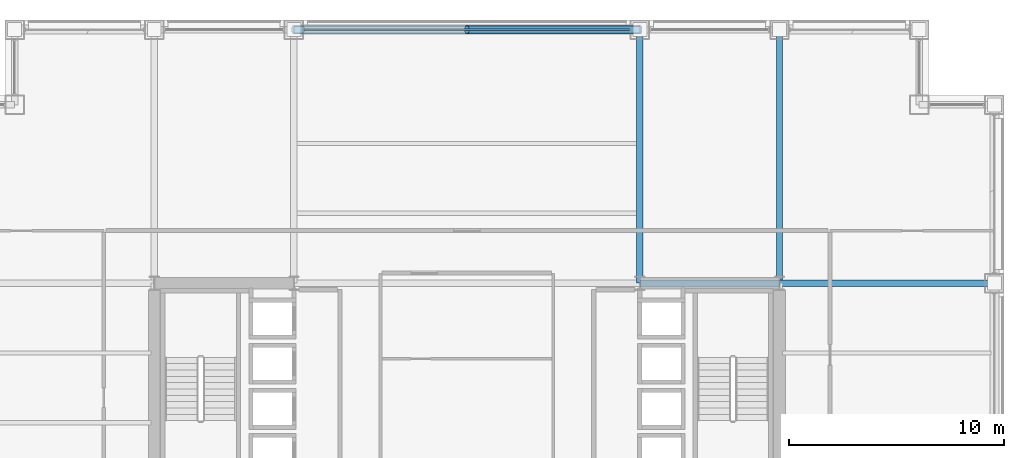
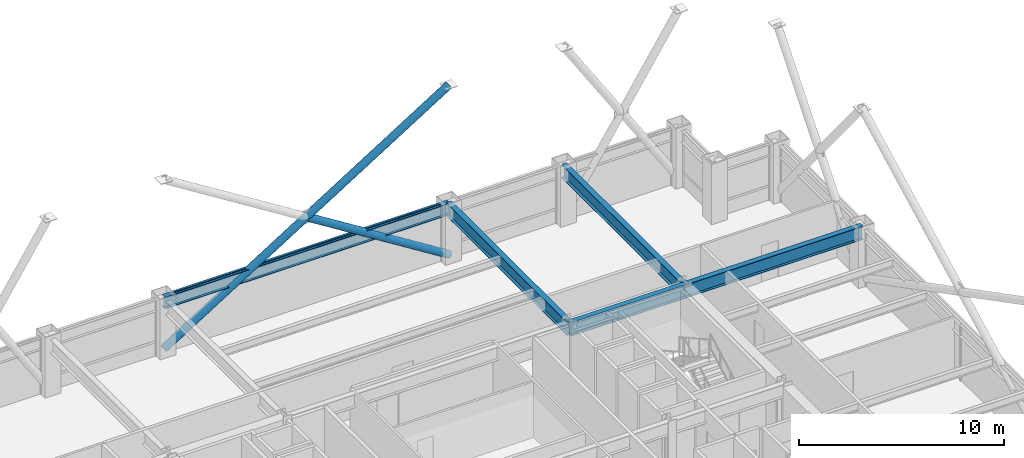
# One storey, part 19 of 30: 5 beams, 3 members, 1 element without a shape of its own.
"""IFC4 building model written with IfcOpenShell, lengths in metres."""

import ifcopenshell
import ifcopenshell.guid

model = None  # the IFC model being written
_history = None  # IfcOwnerHistory: only IFC2X3 demands one
_inside = {}  # id of a spatial element -> (the spatial element, [elements in it])
_under = {}  # id of a project, library or spatial element -> (it, [spatial elements below it])
_declared = {}  # id of a project -> (the project, [libraries it declares])
_typed = {}  # id of a type object -> (the type object, [elements of that type])
_made_of = {}  # id of a material, layer set ... -> (it, [elements and type objects made of it])


def new_model(schema):
    """Start an empty IFC model of exactly this schema.

    Asked for "IFC4X3", IfcOpenShell would pick the latest addendum, in which some entities
    have other attributes; the version numbers below select the first issue.
    IFC2X3 requires an IfcOwnerHistory on every rooted entity: one is made here for all.
    """
    global model, _history
    if schema == "IFC4X3":
        model = ifcopenshell.file(schema_version=(4, 3, 0, 0))
    else:
        model = ifcopenshell.file(schema=schema)
    _inside.clear()
    _under.clear()
    _declared.clear()
    _typed.clear()
    _made_of.clear()
    _history = None
    if model.schema == "IFC2X3":
        org = make("IfcOrganization", Name="unknown")
        user = make(
            "IfcPersonAndOrganization",
            ThePerson=make("IfcPerson", FamilyName="unknown"),
            TheOrganization=org,
        )
        app = make(
            "IfcApplication",
            ApplicationDeveloper=org,
            Version="unknown",
            ApplicationFullName="unknown",
            ApplicationIdentifier="unknown",
        )
        _history = make(
            "IfcOwnerHistory",
            OwningUser=user,
            OwningApplication=app,
            ChangeAction="ADDED",
            CreationDate=0,
        )
    return model


def make(cls, **values):
    """One entity of the class cls with the attributes given. An attribute that is None is left unset."""
    return model.create_entity(
        cls, **{name: value for name, value in values.items() if value is not None}
    )


def rooted(cls, **values):
    """An entity with a GlobalId (a new one), such as an element, a storey or a relation."""
    return make(cls, GlobalId=ifcopenshell.guid.new(), OwnerHistory=_history, **values)


def si_unit(unit_type, name, prefix=None):
    """IfcSIUnit, for example si_unit("LENGTHUNIT", "METRE", prefix="MILLI")."""
    return make("IfcSIUnit", UnitType=unit_type, Prefix=prefix, Name=name)


def assignment(units):
    """IfcUnitAssignment: the units of a project."""
    return None if units is None else make("IfcUnitAssignment", Units=units)


def point(xyz):
    """IfcCartesianPoint."""
    return None if xyz is None else make("IfcCartesianPoint", Coordinates=xyz)


def direction(xyz):
    """IfcDirection."""
    return None if xyz is None else make("IfcDirection", DirectionRatios=xyz)


def frame(location, z_axis=None, x_axis=None):
    """IfcAxis2Placement3D, a coordinate frame: its origin and axes. An axis left out is left unset."""
    return make(
        "IfcAxis2Placement3D",
        Location=point(location),
        Axis=direction(z_axis),
        RefDirection=direction(x_axis),
    )


def frame_2d(location, x_axis=None):
    """IfcAxis2Placement2D, a coordinate frame in the plane: its origin and x axis."""
    return make(
        "IfcAxis2Placement2D", Location=point(location), RefDirection=direction(x_axis)
    )


def origin():
    """The frame at (0, 0, 0) with its axes left unset."""
    return frame((0.0, 0.0, 0.0))


def origin_2d():
    """The frame at (0, 0) in the plane with its x axis left unset."""
    return frame_2d((0.0, 0.0))


def place(relative_to, where):
    """IfcLocalPlacement: puts the frame where relative to a parent placement (None: the world)."""
    return make(
        "IfcLocalPlacement", PlacementRelTo=relative_to, RelativePlacement=where
    )


def context(
    kind, dimensions, precision=None, world=None, true_north=None, identifier=None
):
    """IfcGeometricRepresentationContext, for example the 3D "Model" context."""
    return make(
        "IfcGeometricRepresentationContext",
        ContextIdentifier=identifier,
        ContextType=kind,
        CoordinateSpaceDimension=dimensions,
        Precision=precision,
        WorldCoordinateSystem=world,
        TrueNorth=true_north,
    )


def subcontext(parent, identifier, kind, view, scale=None):
    """IfcGeometricRepresentationSubContext, for example "Body" below "Model"."""
    return make(
        "IfcGeometricRepresentationSubContext",
        ContextIdentifier=identifier,
        ContextType=kind,
        ParentContext=parent,
        TargetScale=scale,
        TargetView=view,
    )


def project(units=None, contexts=None):
    """IfcProject with its units and contexts."""
    return rooted(
        "IfcProject",
        Name="project",
        RepresentationContexts=contexts,
        UnitsInContext=assignment(units),
    )


def spatial(cls, under=None, at=None, **own):
    """A site, building, storey or space (cls), placed at a placement, below another one or the project."""
    s = rooted(cls, ObjectPlacement=at, **own)
    if under is not None:
        _under.setdefault(under.id(), (under, []))[1].append(s)
    return s


def profile(cls, at=None, kind="AREA", **sizes):
    """A parametric profile (cls). Its sizes go by their IFC names, for example OverallWidth=200.0."""
    return make(cls, ProfileType=kind, Position=at, **sizes)


def hollow_rectangle(**sizes):
    """IfcRectangleHollowProfileDef."""
    return profile("IfcRectangleHollowProfileDef", **sizes)


def hollow_circle(**sizes):
    """IfcCircleHollowProfileDef."""
    return profile("IfcCircleHollowProfileDef", **sizes)


def i_section(**sizes):
    """IfcIShapeProfileDef."""
    return profile("IfcIShapeProfileDef", **sizes)


def extrude(swept, where, along, depth):
    """IfcExtrudedAreaSolid: the profile swept, set in the frame where, extruded along a direction by depth."""
    return make(
        "IfcExtrudedAreaSolid",
        SweptArea=swept,
        Position=where,
        ExtrudedDirection=direction(along),
        Depth=depth,
    )


def shape(context_of_items, identifier, shape_type, items):
    """IfcShapeRepresentation: the items that make up one representation, for example the "Body"."""
    return make(
        "IfcShapeRepresentation",
        ContextOfItems=context_of_items,
        RepresentationIdentifier=identifier,
        RepresentationType=shape_type,
        Items=items,
    )


def material(Name=None, Category=None):
    """IfcMaterial."""
    return make("IfcMaterial", Name=Name, Category=Category)


def layer(
    of_material, thickness, ventilated=None, Name=None, Category=None, Priority=None
):
    """IfcMaterialLayer: one layer of a wall or slab, of a material (None: an air gap)."""
    return make(
        "IfcMaterialLayer",
        Material=of_material,
        LayerThickness=thickness,
        IsVentilated=ventilated,
        Name=Name,
        Category=Category,
        Priority=Priority,
    )


def layer_set(layers, Name=None):
    """IfcMaterialLayerSet."""
    return make("IfcMaterialLayerSet", MaterialLayers=layers, LayerSetName=Name)


def material_profile(
    of_material, cross_section, Name=None, Category=None, Priority=None
):
    """IfcMaterialProfile: a cross section and its material."""
    return make(
        "IfcMaterialProfile",
        Name=Name,
        Material=of_material,
        Profile=cross_section,
        Priority=Priority,
        Category=Category,
    )


def profile_set(profiles, Name=None, composite=None):
    """IfcMaterialProfileSet."""
    return make(
        "IfcMaterialProfileSet",
        Name=Name,
        MaterialProfiles=profiles,
        CompositeProfile=composite,
    )


def made_of(thing, what):
    """Note that an element or type object is made of a material, layer set ...; save() writes the relation."""
    if what is not None:
        _made_of.setdefault(what.id(), (what, []))[1].append(thing)
    return thing


def type_object(cls, material=None, **own):
    """A type object (cls), such as IfcWallType, which elements share."""
    return made_of(rooted(cls, **own), material)


def element(
    cls,
    number,
    at=None,
    inside=None,
    cuts=None,
    type_object=None,
    material=None,
    context=None,
    identifier="Body",
    shape_type=None,
    held_by="IfcProductDefinitionShape",
    body=None,
    shapes=None,
    **own,
):
    """One element of the class cls, such as IfcWall. Its Tag is "e" and its number.

    at: its placement. inside: the storey or other place that contains it. cuts: it is an
    opening in that element (IfcRelVoidsElement). A single representation is given by context,
    identifier, shape_type and body (its items); several are given by shapes. held_by: the class
    of the entity that holds the representations. save() writes the other relations.
    """
    e = rooted(cls, Tag="e%d" % number, ObjectPlacement=at, **own)
    if body is not None:
        shapes = [shape(context, identifier, shape_type, body)]
    if shapes is not None:
        e.Representation = make(held_by, Representations=shapes)
    if inside is not None:
        _inside.setdefault(inside.id(), (inside, []))[1].append(e)
    if cuts is not None:
        rooted(
            "IfcRelVoidsElement", RelatingBuildingElement=cuts, RelatedOpeningElement=e
        )
    if type_object is not None:
        _typed.setdefault(type_object.id(), (type_object, []))[1].append(e)
    return made_of(e, material)


def aggregate(whole, parts):
    """IfcRelAggregates: a whole, such as a stair, and the parts it consists of."""
    return rooted("IfcRelAggregates", RelatingObject=whole, RelatedObjects=parts)


def save(model, path):
    """Write the relations noted so far, then the file.

    IfcRelAggregates (storeys below a building ...), IfcRelContainedInSpatialStructure (elements
    in a storey), IfcRelDefinesByType, IfcRelAssociatesMaterial and IfcRelDeclares: one each for
    every whole, place, type object, material and project.
    """
    for whole, parts in _under.values():
        aggregate(whole, parts)
    for where, things in _inside.values():
        rooted(
            "IfcRelContainedInSpatialStructure",
            RelatedElements=things,
            RelatingStructure=where,
        )
    for kind, things in _typed.values():
        rooted("IfcRelDefinesByType", RelatedObjects=things, RelatingType=kind)
    for what, things in _made_of.values():
        rooted("IfcRelAssociatesMaterial", RelatedObjects=things, RelatingMaterial=what)
    for by, libraries in _declared.values():
        rooted("IfcRelDeclares", RelatingContext=by, RelatedDefinitions=libraries)
    model.write(path)


model = new_model("IFC4")

# Units and contexts
model_context = context("Model", 3, precision=1e-05, world=origin(), true_north=direction((0.0, 1.0)))
body_context = subcontext(model_context, "Body", "Model", "MODEL_VIEW")
ifc_project = project(units=[si_unit("LENGTHUNIT", "METRE"), si_unit("AREAUNIT", "SQUARE_METRE"), si_unit("VOLUMEUNIT", "CUBIC_METRE"), si_unit("PLANEANGLEUNIT", "RADIAN"), si_unit("MASSUNIT", "GRAM", prefix="KILO")], contexts=[model_context])

# Site, building, storey
site_placement = place(None, origin())
site = spatial("IfcSite", under=ifc_project, at=site_placement, CompositionType="ELEMENT")
building_placement = place(site_placement, origin())
building = spatial("IfcBuilding", under=site, at=building_placement, Name="Brelmoor Portico Tower", CompositionType="ELEMENT")
storey_placement = place(building_placement, frame((0.0, 0.0, 56.39990234375)))
storey = spatial("IfcBuildingStorey", under=building, at=storey_placement, Name="L14", CompositionType="ELEMENT", Elevation=56.39990234375)

# Beams
ifc_material_1 = material(Name="Steel Q355B", Category="steel")
ifc_material_profile_1 = material_profile(ifc_material_1, i_section(OverallWidth=0.300048828125, OverallDepth=0.800048828125, WebThickness=0.013916015625, FlangeThickness=0.02587890625, at=origin_2d()), Name="HN 800x300x14x26")
ifc_profile_set_1 = profile_set([ifc_material_profile_1], Name="Steel Q355B")
beam_type_1 = type_object("IfcBeamType", Name="BM-PG-800", PredefinedType="BEAM", material=ifc_profile_set_1)
for number, where, z_axis, x_axis, name in (
    (1, (8.050048828125, 9.75, 3.0), (0.0, 1.0, 0.0), (-1.0, 0.0, 0.0), "L14 Primary Floor Girder PG-10"),
    (2, (14.550048828125, 9.75, 3.0), (0.0, 1.0, 0.0), (-1.0, 0.0, 0.0), "L14 Primary Floor Girder PG-14"),
):
    element("IfcBeam", number, at=place(storey_placement, frame(where, z_axis=z_axis, x_axis=x_axis)), inside=storey, type_object=beam_type_1, Name=name, PredefinedType="BEAM", context=body_context, shape_type="SweptSolid", body=[
        extrude(i_section(OverallWidth=0.300048828125, OverallDepth=0.800048828125, WebThickness=0.013916015625, FlangeThickness=0.02587890625, at=origin_2d()), origin(), (0.0, 0.0, 1.0), 11.800048828125),
    ])
beam_1_placement = place(storey_placement, frame((8.050048828125, 9.75, 3.0), z_axis=(1.0, 0.0, 0.0), x_axis=(0.0, 1.0, 0.0)))
element("IfcBeam", 3, at=beam_1_placement, inside=storey, type_object=beam_type_1, Name="L14 Primary Floor Girder PG-30", PredefinedType="BEAM", context=body_context, shape_type="SweptSolid", body=[
    extrude(i_section(OverallWidth=0.300048828125, OverallDepth=0.800048828125, WebThickness=0.013916015625, FlangeThickness=0.02587890625, at=origin_2d()), origin(), (0.0, 0.0, 1.0), 6.5),
])
beam_2_placement = place(storey_placement, frame((14.550048828125, 9.75, 3.0), z_axis=(1.0, 0.0, 0.0), x_axis=(0.0, 1.0, 0.0)))
element("IfcBeam", 4, at=beam_2_placement, inside=storey, type_object=beam_type_1, Name="L14 Primary Floor Girder PG-31", PredefinedType="BEAM", context=body_context, shape_type="SweptSolid", body=[
    extrude(i_section(OverallWidth=0.300048828125, OverallDepth=0.800048828125, WebThickness=0.013916015625, FlangeThickness=0.02587890625, at=origin_2d()), origin(), (0.0, 0.0, 1.0), 10.0),
])
ifc_material_profile_2 = material_profile(ifc_material_1, i_section(OverallWidth=0.300048828125, OverallDepth=0.699951171875, WebThickness=0.012939453125, FlangeThickness=0.02392578125, at=origin_2d()), Name="HN 700x300x13x24")
ifc_profile_set_2 = profile_set([ifc_material_profile_2], Name="Steel Q355B")
beam_type_2 = type_object("IfcBeamType", Name="BM-SP-700", PredefinedType="SPANDREL", material=ifc_profile_set_2)
beam_3_placement = place(storey_placement, frame((-8.050048828125, 21.550048828125, 3.050048828125), z_axis=(1.0, 0.0, 0.0), x_axis=(0.0, 1.0, 0.0)))
element("IfcBeam", 5, at=beam_3_placement, inside=storey, type_object=beam_type_2, Name="L14 Perimeter Spandrel Beam SP-12", PredefinedType="SPANDREL", context=body_context, shape_type="SweptSolid", body=[
    extrude(i_section(OverallWidth=0.300048828125, OverallDepth=0.699951171875, WebThickness=0.012939453125, FlangeThickness=0.02392578125, at=origin_2d()), origin(), (0.0, 0.0, 1.0), 16.10009765625),
])

# Members
ifc_material_profile_3 = material_profile(ifc_material_1, hollow_circle(Radius=0.212890625, WallThickness=0.02001953125, at=origin_2d()), Name="CHS 426x20")
ifc_profile_set_3 = profile_set([ifc_material_profile_3], Name="Steel Q355B")
member_type_1 = type_object("IfcMemberType", Name="MB-BELT-DIAG1", PredefinedType="BRACE", material=ifc_profile_set_3)
member_1_placement = place(storey_placement, frame((-8.050048828125, 21.550048828125, 0.25), z_axis=(0.847109476093, 0.0, 0.531418418493), x_axis=(0.0, 1.0, 0.0)))
element("IfcMember", 6, at=member_1_placement, inside=storey, type_object=member_type_1, Name="L14 Continuous Mega-X Brace 028A", PredefinedType="BRACE", context=body_context, shape_type="SweptSolid", body=[
    extrude(hollow_circle(Radius=0.212890625, WallThickness=0.02001953125, at=origin_2d()), origin(), (0.0, 0.0, 1.0), 19.005859375),
])
member_2_placement = place(storey_placement, frame((8.050048828125, 21.550048828125, 0.25), z_axis=(-0.847109476093, 0.0, 0.531418418493), x_axis=(0.0, -1.0, 0.0)))
element("IfcMember", 7, at=member_2_placement, inside=storey, type_object=member_type_1, Name="L14 Split Mega-X Brace 028B1", PredefinedType="BRACE", context=body_context, shape_type="SweptSolid", body=[
    extrude(hollow_circle(Radius=0.212890625, WallThickness=0.02001953125, at=origin_2d()), origin(), (0.0, 0.0, 1.0), 9.5029296875),
])

# Curtain wall, member
ifc_material_2 = material(Name="Anodised Aluminium Alloy 6063-T6", Category="aluminium")
ifc_layer = layer(ifc_material_2, 0.179931640625)
ifc_layer_set = layer_set([ifc_layer], Name="Anodised Aluminium Alloy 6063-T6")
curtain_wall_type = type_object("IfcCurtainWallType", Name="CW-TOWER-Z1-XB", PredefinedType="NOTDEFINED", material=ifc_layer_set)
curtain_wall_placement = place(storey_placement, origin())
curtain_wall = element("IfcCurtainWall", 8, at=curtain_wall_placement, inside=storey, type_object=curtain_wall_type, Name="L14 Curtain Wall CW-L14-02-3", PredefinedType="NOTDEFINED")
ifc_material_profile_4 = material_profile(ifc_material_2, hollow_rectangle(XDim=0.06494140625, YDim=0.139892578125, WallThickness=0.00390625, at=origin_2d()), Name="ALU TRANSOM 65x140")
ifc_profile_set_4 = profile_set([ifc_material_profile_4], Name="Anodised Aluminium Alloy 6063-T6")
member_type_2 = type_object("IfcMemberType", Name="MB-CW-TRAN-140", PredefinedType="USERDEFINED", material=ifc_profile_set_4)
member_3_placement = place(storey_placement, frame((-7.590087890625, 21.550048828125, 3.330078125), z_axis=(1.0, 0.0, 0.0), x_axis=(0.0, 1.0, 0.0)))
member_3 = element("IfcMember", 9, at=member_3_placement, type_object=member_type_2, Name="CW-L14-02-3 Transom 1-00", ObjectType="TRANSOM", PredefinedType="USERDEFINED", context=body_context, shape_type="SweptSolid", body=[
    extrude(hollow_rectangle(XDim=0.06494140625, YDim=0.139892578125, WallThickness=0.00390625, at=origin_2d()), origin(), (0.0, 0.0, 1.0), 15.18017578125),
])
aggregate(curtain_wall, [member_3])

save(model, "model.ifc")
